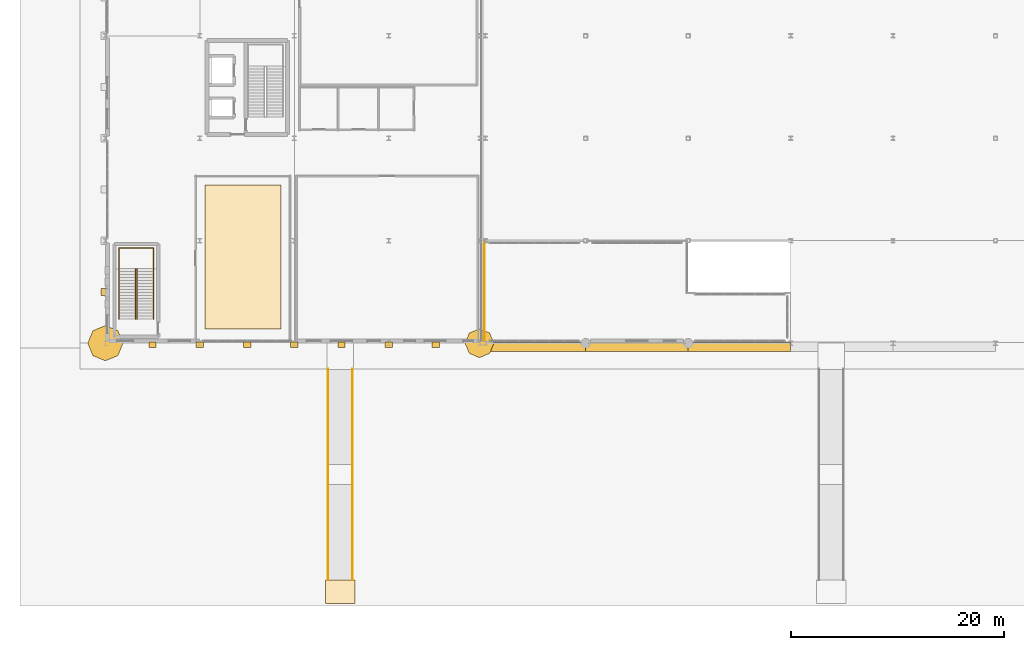
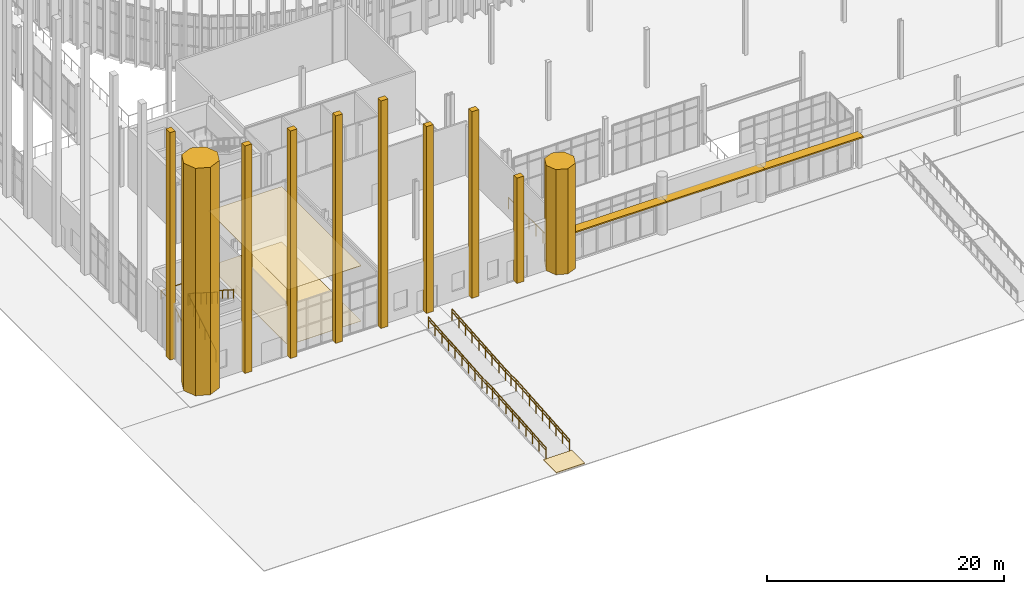
# One storey, part 110 of 139: 13 coverings, 7 railings, 3 shading devices.
"""IFC4 building model written with IfcOpenShell, lengths in metres."""

from ifc_helpers import new_model, si_unit, direction, frame, origin, origin_2d, place, context, subcontext, project, spatial, polyline, rectangle, circle, outline, extrude, material, layer, layer_set, type_object, element, save


model = new_model("IFC4")

# Units and contexts
model_context = context("Model", 3, precision=1e-05, world=origin(), true_north=direction((0.0, 1.0)))
body_context = subcontext(model_context, "Body", "Model", "MODEL_VIEW")
ifc_project = project(units=[si_unit("LENGTHUNIT", "METRE"), si_unit("AREAUNIT", "SQUARE_METRE"), si_unit("VOLUMEUNIT", "CUBIC_METRE"), si_unit("PLANEANGLEUNIT", "RADIAN"), si_unit("MASSUNIT", "GRAM", prefix="KILO")], contexts=[model_context])

# Site, building, storey
site_placement = place(None, origin())
site = spatial("IfcSite", under=ifc_project, at=site_placement, CompositionType="ELEMENT")
building_placement = place(site_placement, origin())
building = spatial("IfcBuilding", under=site, at=building_placement, Name="Yeouljin Market Hall", CompositionType="ELEMENT")
storey_placement = place(building_placement, origin())
storey = spatial("IfcBuildingStorey", under=building, at=storey_placement, Name="L00", CompositionType="ELEMENT", Elevation=0.0)

# Coverings
ifc_material_1 = material(Name="Clinker Brick Masonry F2-S2", Category="masonry")
ifc_layer_1 = layer(ifc_material_1, 0.5400390625)
ifc_layer_set_1 = layer_set([ifc_layer_1], Name="Clinker Brick Masonry F2-S2")
covering_type_1 = type_object("IfcCoveringType", Name="Covering_Clinker_PleatedPier", PredefinedType="CLADDING", material=ifc_layer_set_1)
covering_1_placement = place(storey_placement, origin())
element("IfcCovering", 1, at=covering_1_placement, inside=storey, type_object=covering_type_1, Name="Amsterdam School sculpted brick corner turret SW-MAIN", PredefinedType="CLADDING", context=body_context, shape_type="SweptSolid", body=[
    extrude(outline(polyline([(1.64990234375, 0.0), (1.166748046875, 1.166748046875), (0.0, 1.64990234375), (-1.166748046875, 1.166748046875), (-1.64990234375, 0.0), (-1.166748046875, -1.166748046875), (0.0, -1.64990234375), (1.166748046875, -1.166748046875), (1.64990234375, 0.0)])), origin(), (0.0, 0.0, 1.0), 23.449951171875),
])
covering_2_placement = place(storey_placement, origin())
element("IfcCovering", 2, at=covering_2_placement, inside=storey, type_object=covering_type_1, Name="Amsterdam School sculpted brick corner turret PORT-W", PredefinedType="CLADDING", context=body_context, shape_type="SweptSolid", body=[
    extrude(outline(polyline([(36.39990234375, 0.0), (36.004638671875, 0.95458984375), (35.050048828125, 1.35009765625), (34.095458984375, 0.95458984375), (33.699951171875, 0.0), (34.095458984375, -0.95458984375), (35.050048828125, -1.35009765625), (36.004638671875, -0.95458984375), (36.39990234375, 0.0)])), origin(), (0.0, 0.0, 1.0), 10.85009765625),
])
covering_3_placement = place(storey_placement, origin())
element("IfcCovering", 3, at=covering_3_placement, inside=storey, type_object=covering_type_1, Name="Pleated clinker-brick boulevard pier S-001", PredefinedType="CLADDING", context=body_context, shape_type="SweptSolid", body=[
    extrude(outline(polyline([(4.080078125, -0.419921875), (4.760009765625, -0.419921875), (4.760009765625, 0.1201171875), (4.080078125, 0.1201171875), (4.080078125, -0.419921875)])), origin(), (0.0, 0.0, 1.0), 23.449951171875),
])
covering_4_placement = place(storey_placement, origin())
element("IfcCovering", 4, at=covering_4_placement, inside=storey, type_object=covering_type_1, Name="Pleated clinker-brick boulevard pier S-002", PredefinedType="CLADDING", context=body_context, shape_type="SweptSolid", body=[
    extrude(outline(polyline([(8.510009765625, -0.419921875), (9.18994140625, -0.419921875), (9.18994140625, 0.1201171875), (8.510009765625, 0.1201171875), (8.510009765625, -0.419921875)])), origin(), (0.0, 0.0, 1.0), 23.449951171875),
])
covering_5_placement = place(storey_placement, origin())
element("IfcCovering", 5, at=covering_5_placement, inside=storey, type_object=covering_type_1, Name="Pleated clinker-brick boulevard pier S-003", PredefinedType="CLADDING", context=body_context, shape_type="SweptSolid", body=[
    extrude(outline(polyline([(12.93994140625, -0.419921875), (13.6201171875, -0.419921875), (13.6201171875, 0.1201171875), (12.93994140625, 0.1201171875), (12.93994140625, -0.419921875)])), origin(), (0.0, 0.0, 1.0), 23.449951171875),
])
covering_6_placement = place(storey_placement, origin())
element("IfcCovering", 6, at=covering_6_placement, inside=storey, type_object=covering_type_1, Name="Pleated clinker-brick boulevard pier S-004", PredefinedType="CLADDING", context=body_context, shape_type="SweptSolid", body=[
    extrude(outline(polyline([(17.360107421875, -0.419921875), (18.0400390625, -0.419921875), (18.0400390625, 0.1201171875), (17.360107421875, 0.1201171875), (17.360107421875, -0.419921875)])), origin(), (0.0, 0.0, 1.0), 23.449951171875),
])
covering_7_placement = place(storey_placement, origin())
element("IfcCovering", 7, at=covering_7_placement, inside=storey, type_object=covering_type_1, Name="Pleated clinker-brick boulevard pier S-005", PredefinedType="CLADDING", context=body_context, shape_type="SweptSolid", body=[
    extrude(outline(polyline([(21.780029296875, -0.419921875), (22.4599609375, -0.419921875), (22.4599609375, 0.1201171875), (21.780029296875, 0.1201171875), (21.780029296875, -0.419921875)])), origin(), (0.0, 0.0, 1.0), 19.25),
])
covering_8_placement = place(storey_placement, origin())
element("IfcCovering", 8, at=covering_8_placement, inside=storey, type_object=covering_type_1, Name="Pleated clinker-brick boulevard pier S-006", PredefinedType="CLADDING", context=body_context, shape_type="SweptSolid", body=[
    extrude(outline(polyline([(26.2099609375, -0.419921875), (26.889892578125, -0.419921875), (26.889892578125, 0.1201171875), (26.2099609375, 0.1201171875), (26.2099609375, -0.419921875)])), origin(), (0.0, 0.0, 1.0), 19.25),
])
covering_9_placement = place(storey_placement, origin())
element("IfcCovering", 9, at=covering_9_placement, inside=storey, type_object=covering_type_1, Name="Pleated clinker-brick boulevard pier S-007", PredefinedType="CLADDING", context=body_context, shape_type="SweptSolid", body=[
    extrude(outline(polyline([(30.610107421875, -0.419921875), (31.2900390625, -0.419921875), (31.2900390625, 0.1201171875), (30.610107421875, 0.1201171875), (30.610107421875, -0.419921875)])), origin(), (0.0, 0.0, 1.0), 10.85009765625),
])
covering_10_placement = place(storey_placement, origin())
element("IfcCovering", 10, at=covering_10_placement, inside=storey, type_object=covering_type_1, Name="Pleated clinker-brick west facade pier W-015", PredefinedType="CLADDING", context=body_context, shape_type="SweptSolid", body=[
    extrude(outline(polyline([(-0.419921875, 4.4599609375), (0.1201171875, 4.4599609375), (0.1201171875, 5.139892578125), (-0.419921875, 5.139892578125), (-0.419921875, 4.4599609375)])), origin(), (0.0, 0.0, 1.0), 23.449951171875),
])
ifc_material_2 = material(Name="Pocheon Granite Stone", Category="masonry")
ifc_layer_2 = layer(ifc_material_2, 0.050048828125)
ifc_layer_set_2 = layer_set([ifc_layer_2], Name="Pocheon Granite Stone")
covering_type_2 = type_object("IfcCoveringType", Name="Covering_Granite_PlinthPaving", PredefinedType="FLOORING", material=ifc_layer_set_2)
covering_11_placement = place(storey_placement, frame((0.0, 0.0, -1.5400390625)))
element("IfcCovering", 11, at=covering_11_placement, inside=storey, type_object=covering_type_2, Name="Street sidewalk landing 01", PredefinedType="FLOORING", context=body_context, shape_type="SweptSolid", body=[
    extrude(outline(polyline([(20.60009765625, -24.39990234375), (23.39990234375, -24.39990234375), (23.39990234375, -22.199951171875), (20.60009765625, -22.199951171875), (20.60009765625, -24.39990234375)])), origin(), (0.0, 0.0, 1.0), 0.10009765625),
])
ifc_material_3 = material(Name="Polished Mineral Terrazzo Flooring")
ifc_layer_3 = layer(ifc_material_3, 0.030029296875)
ifc_layer_set_3 = layer_set([ifc_layer_3], Name="Polished Mineral Terrazzo Flooring")
covering_type_3 = type_object("IfcCoveringType", Name="Covering_Terrazzo_Flooring", PredefinedType="FLOORING", material=ifc_layer_set_3)
covering_12_placement = place(storey_placement, origin())
element("IfcCovering", 12, at=covering_12_placement, inside=storey, type_object=covering_type_3, Name="Polished terrazzo floor finish L00-02", PredefinedType="FLOORING", context=body_context, shape_type="SweptSolid", body=[
    extrude(outline(polyline([(16.449951171875, 1.35009765625), (16.449951171875, 14.800048828125), (9.31005859375, 14.800048828125), (9.31005859375, 1.35009765625), (16.449951171875, 1.35009765625)])), origin(), (0.0, 0.0, 1.0), 0.030029296875),
])
ifc_material_4 = material(Name="Perforated Larch Acoustic Ceiling Baffle")
ifc_layer_4 = layer(ifc_material_4, 0.0400390625)
ifc_layer_set_4 = layer_set([ifc_layer_4], Name="Perforated Larch Acoustic Ceiling Baffle")
covering_type_4 = type_object("IfcCoveringType", Name="Covering_TimberAcoustic_Ceiling", PredefinedType="CEILING", material=ifc_layer_set_4)
covering_13_placement = place(storey_placement, frame((0.0, 0.0, 5.695068359375)))
element("IfcCovering", 13, at=covering_13_placement, inside=storey, type_object=covering_type_4, Name="Acoustic larch baffle ceiling L00-02", PredefinedType="CEILING", context=body_context, shape_type="SweptSolid", body=[
    extrude(outline(polyline([(16.449951171875, 1.35009765625), (16.449951171875, 14.800048828125), (9.31005859375, 14.800048828125), (9.31005859375, 1.35009765625), (16.449951171875, 1.35009765625)])), origin(), (0.0, 0.0, 1.0), 0.0400390625),
])

# Railings
ifc_material_5 = material(Name="Wrought Iron and Bronze Gallery Balustrade")
railing_type_1 = type_object("IfcRailingType", Name="Railing_AtriumBalustrade_1200", PredefinedType="BALUSTRADE", material=ifc_material_5)
railing_1_placement = place(storey_placement, frame((35.5, 0.199951171875, 0.0)))
element("IfcRailing", 14, at=railing_1_placement, inside=storey, type_object=railing_type_1, Name="Gallery & deck edge balustrade L00-038", PredefinedType="BALUSTRADE", context=body_context, shape_type="SweptSolid", body=[
    extrude(circle(Radius=0.02392578125, at=origin_2d()), frame((0.0, 0.0, 1.17578125), z_axis=(0.0, 1.0, 0.0), x_axis=(-1.0, 0.0, 0.0)), (0.0, 0.0, 1.0), 9.25),
    extrude(circle(Radius=0.02099609375, at=origin_2d()), origin(), (0.0, 0.0, 1.0), 1.15185546875),
    extrude(circle(Radius=0.02099609375, at=origin_2d()), frame((0.0, 1.15625, 0.0)), (0.0, 0.0, 1.0), 1.15185546875),
    extrude(circle(Radius=0.02099609375, at=origin_2d()), frame((0.0, 2.3125, 0.0)), (0.0, 0.0, 1.0), 1.15185546875),
    extrude(circle(Radius=0.02099609375, at=origin_2d()), frame((0.0, 3.46875, 0.0)), (0.0, 0.0, 1.0), 1.15185546875),
    extrude(circle(Radius=0.02099609375, at=origin_2d()), frame((0.0, 4.625, 0.0)), (0.0, 0.0, 1.0), 1.15185546875),
    extrude(circle(Radius=0.02099609375, at=origin_2d()), frame((0.0, 5.78125, 0.0)), (0.0, 0.0, 1.0), 1.15185546875),
    extrude(circle(Radius=0.02099609375, at=origin_2d()), frame((0.0, 6.9375, 0.0)), (0.0, 0.0, 1.0), 1.15185546875),
    extrude(circle(Radius=0.02099609375, at=origin_2d()), frame((0.0, 8.09375, 0.0)), (0.0, 0.0, 1.0), 1.15185546875),
    extrude(circle(Radius=0.02099609375, at=origin_2d()), frame((0.0, 9.25, 0.0)), (0.0, 0.0, 1.0), 1.15185546875),
])
ifc_material_6 = material(Name="Brushed Stainless Steel", Category="steel")
railing_type_2 = type_object("IfcRailingType", Name="Railing_RampHandrail_900", PredefinedType="HANDRAIL", material=ifc_material_6)
railing_2_placement = place(storey_placement, frame((20.85009765625, -22.199951171875, -1.43994140625)))
element("IfcRailing", 15, at=railing_2_placement, inside=storey, type_object=railing_type_2, Name="Pedestrian ramp 01 W handrail", PredefinedType="HANDRAIL", context=body_context, shape_type="SweptSolid", body=[
    extrude(circle(Radius=0.02392578125, at=origin_2d()), frame((0.0, 0.0, 0.8759765625), z_axis=(0.0, 0.996815536467, 0.079741998075), x_axis=(-1.0, 0.0, 0.0)), (0.0, 0.0, 1.0), 9.02880859375),
    extrude(circle(Radius=0.02392578125, at=origin_2d()), frame((0.0, 9.0, 1.595703125), z_axis=(0.0, 1.0, 0.0), x_axis=(-1.0, 0.0, 0.0)), (0.0, 0.0, 1.0), 1.800048828125),
    extrude(circle(Radius=0.02392578125, at=origin_2d()), frame((0.0, 10.800048828125, 1.595703125), z_axis=(0.0, 0.996815536467, 0.079741998075), x_axis=(-1.0, 0.0, 0.0)), (0.0, 0.0, 1.0), 9.02880859375),
    extrude(circle(Radius=0.02099609375, at=origin_2d()), origin(), (0.0, 0.0, 1.0), 0.851806640625),
    extrude(circle(Radius=0.02099609375, at=origin_2d()), frame((0.0, 1.125, 0.090087890625)), (0.0, 0.0, 1.0), 0.851806640625),
    extrude(circle(Radius=0.02099609375, at=origin_2d()), frame((0.0, 2.25, 0.179931640625)), (0.0, 0.0, 1.0), 0.851806640625),
    extrude(circle(Radius=0.02099609375, at=origin_2d()), frame((0.0, 3.375, 0.27001953125)), (0.0, 0.0, 1.0), 0.851806640625),
    extrude(circle(Radius=0.02099609375, at=origin_2d()), frame((0.0, 4.5, 0.35986328125)), (0.0, 0.0, 1.0), 0.851806640625),
    extrude(circle(Radius=0.02099609375, at=origin_2d()), frame((0.0, 5.625, 0.449951171875)), (0.0, 0.0, 1.0), 0.851806640625),
    extrude(circle(Radius=0.02099609375, at=origin_2d()), frame((0.0, 6.75, 0.5400390625)), (0.0, 0.0, 1.0), 0.851806640625),
    extrude(circle(Radius=0.02099609375, at=origin_2d()), frame((0.0, 7.875, 0.6298828125)), (0.0, 0.0, 1.0), 0.851806640625),
    extrude(circle(Radius=0.02099609375, at=origin_2d()), frame((0.0, 9.0, 0.719970703125)), (0.0, 0.0, 1.0), 0.851806640625),
    extrude(circle(Radius=0.02099609375, at=origin_2d()), frame((0.0, 9.89990234375, 0.719970703125)), (0.0, 0.0, 1.0), 0.851806640625),
    extrude(circle(Radius=0.02099609375, at=origin_2d()), frame((0.0, 10.800048828125, 0.719970703125)), (0.0, 0.0, 1.0), 0.851806640625),
    extrude(circle(Radius=0.02099609375, at=origin_2d()), frame((0.0, 11.925048828125, 0.81005859375)), (0.0, 0.0, 1.0), 0.851806640625),
    extrude(circle(Radius=0.02099609375, at=origin_2d()), frame((0.0, 13.050048828125, 0.89990234375)), (0.0, 0.0, 1.0), 0.851806640625),
    extrude(circle(Radius=0.02099609375, at=origin_2d()), frame((0.0, 14.175048828125, 0.989990234375)), (0.0, 0.0, 1.0), 0.851806640625),
    extrude(circle(Radius=0.02099609375, at=origin_2d()), frame((0.0, 15.300048828125, 1.080078125)), (0.0, 0.0, 1.0), 0.851806640625),
    extrude(circle(Radius=0.02099609375, at=origin_2d()), frame((0.0, 16.425048828125, 1.169921875)), (0.0, 0.0, 1.0), 0.851806640625),
    extrude(circle(Radius=0.02099609375, at=origin_2d()), frame((0.0, 17.550048828125, 1.260009765625)), (0.0, 0.0, 1.0), 0.851806640625),
    extrude(circle(Radius=0.02099609375, at=origin_2d()), frame((0.0, 18.675048828125, 1.349853515625)), (0.0, 0.0, 1.0), 0.851806640625),
    extrude(circle(Radius=0.02099609375, at=origin_2d()), frame((0.0, 19.800048828125, 1.43994140625)), (0.0, 0.0, 1.0), 0.851806640625),
])
railing_3_placement = place(storey_placement, frame((23.14990234375, -22.199951171875, -1.43994140625)))
element("IfcRailing", 16, at=railing_3_placement, inside=storey, type_object=railing_type_2, Name="Pedestrian ramp 01 E handrail", PredefinedType="HANDRAIL", context=body_context, shape_type="SweptSolid", body=[
    extrude(circle(Radius=0.02392578125, at=origin_2d()), frame((0.0, 0.0, 0.8759765625), z_axis=(0.0, 0.996815536467, 0.079741998075), x_axis=(-1.0, 0.0, 0.0)), (0.0, 0.0, 1.0), 9.02880859375),
    extrude(circle(Radius=0.02392578125, at=origin_2d()), frame((0.0, 9.0, 1.595703125), z_axis=(0.0, 1.0, 0.0), x_axis=(-1.0, 0.0, 0.0)), (0.0, 0.0, 1.0), 1.800048828125),
    extrude(circle(Radius=0.02392578125, at=origin_2d()), frame((0.0, 10.800048828125, 1.595703125), z_axis=(0.0, 0.996815536467, 0.079741998075), x_axis=(-1.0, 0.0, 0.0)), (0.0, 0.0, 1.0), 9.02880859375),
    extrude(circle(Radius=0.02099609375, at=origin_2d()), origin(), (0.0, 0.0, 1.0), 0.851806640625),
    extrude(circle(Radius=0.02099609375, at=origin_2d()), frame((0.0, 1.125, 0.090087890625)), (0.0, 0.0, 1.0), 0.851806640625),
    extrude(circle(Radius=0.02099609375, at=origin_2d()), frame((0.0, 2.25, 0.179931640625)), (0.0, 0.0, 1.0), 0.851806640625),
    extrude(circle(Radius=0.02099609375, at=origin_2d()), frame((0.0, 3.375, 0.27001953125)), (0.0, 0.0, 1.0), 0.851806640625),
    extrude(circle(Radius=0.02099609375, at=origin_2d()), frame((0.0, 4.5, 0.35986328125)), (0.0, 0.0, 1.0), 0.851806640625),
    extrude(circle(Radius=0.02099609375, at=origin_2d()), frame((0.0, 5.625, 0.449951171875)), (0.0, 0.0, 1.0), 0.851806640625),
    extrude(circle(Radius=0.02099609375, at=origin_2d()), frame((0.0, 6.75, 0.5400390625)), (0.0, 0.0, 1.0), 0.851806640625),
    extrude(circle(Radius=0.02099609375, at=origin_2d()), frame((0.0, 7.875, 0.6298828125)), (0.0, 0.0, 1.0), 0.851806640625),
    extrude(circle(Radius=0.02099609375, at=origin_2d()), frame((0.0, 9.0, 0.719970703125)), (0.0, 0.0, 1.0), 0.851806640625),
    extrude(circle(Radius=0.02099609375, at=origin_2d()), frame((0.0, 9.89990234375, 0.719970703125)), (0.0, 0.0, 1.0), 0.851806640625),
    extrude(circle(Radius=0.02099609375, at=origin_2d()), frame((0.0, 10.800048828125, 0.719970703125)), (0.0, 0.0, 1.0), 0.851806640625),
    extrude(circle(Radius=0.02099609375, at=origin_2d()), frame((0.0, 11.925048828125, 0.81005859375)), (0.0, 0.0, 1.0), 0.851806640625),
    extrude(circle(Radius=0.02099609375, at=origin_2d()), frame((0.0, 13.050048828125, 0.89990234375)), (0.0, 0.0, 1.0), 0.851806640625),
    extrude(circle(Radius=0.02099609375, at=origin_2d()), frame((0.0, 14.175048828125, 0.989990234375)), (0.0, 0.0, 1.0), 0.851806640625),
    extrude(circle(Radius=0.02099609375, at=origin_2d()), frame((0.0, 15.300048828125, 1.080078125)), (0.0, 0.0, 1.0), 0.851806640625),
    extrude(circle(Radius=0.02099609375, at=origin_2d()), frame((0.0, 16.425048828125, 1.169921875)), (0.0, 0.0, 1.0), 0.851806640625),
    extrude(circle(Radius=0.02099609375, at=origin_2d()), frame((0.0, 17.550048828125, 1.260009765625)), (0.0, 0.0, 1.0), 0.851806640625),
    extrude(circle(Radius=0.02099609375, at=origin_2d()), frame((0.0, 18.675048828125, 1.349853515625)), (0.0, 0.0, 1.0), 0.851806640625),
    extrude(circle(Radius=0.02099609375, at=origin_2d()), frame((0.0, 19.800048828125, 1.43994140625)), (0.0, 0.0, 1.0), 0.851806640625),
])
ifc_material_7 = material(Name="Painted Steel Stair Guardrail", Category="steel")
railing_type_3 = type_object("IfcRailingType", Name="Railing_StairGuard_1200", PredefinedType="GUARDRAIL", material=ifc_material_7)
railing_4_placement = place(storey_placement, frame((2.820068359375, 2.25, 0.0)))
element("IfcRailing", 17, at=railing_4_placement, inside=storey, type_object=railing_type_3, Name="Stair ST-S7-L00 inner well guardrail", PredefinedType="GUARDRAIL", context=body_context, shape_type="SweptSolid", body=[
    extrude(circle(Radius=0.02392578125, at=origin_2d()), frame((0.0, 0.0, 1.17578125), z_axis=(0.0, 0.84395435455, 0.536414995537), x_axis=(-1.0, 0.0, 0.0)), (0.0, 0.0, 1.0), 5.5927734375),
    extrude(circle(Radius=0.02392578125, at=origin_2d()), frame((0.0, 4.719970703125, 4.17578125), z_axis=(1.0, 0.0, 0.0), x_axis=(0.0, 1.0, 0.0)), (0.0, 0.0, 1.0), 0.159912109375),
    extrude(circle(Radius=0.02392578125, at=origin_2d()), frame((0.159912109375, 4.719970703125, 4.17578125), z_axis=(0.0, -0.84395435455, 0.536414995537), x_axis=(1.0, 0.0, 0.0)), (0.0, 0.0, 1.0), 5.5927734375),
    extrude(circle(Radius=0.02099609375, at=origin_2d()), origin(), (0.0, 0.0, 1.0), 1.15185546875),
    extrude(circle(Radius=0.02099609375, at=origin_2d()), frame((0.0, 0.944091796875, 0.60009765625)), (0.0, 0.0, 1.0), 1.15185546875),
    extrude(circle(Radius=0.02099609375, at=origin_2d()), frame((0.0, 1.887939453125, 1.199951171875)), (0.0, 0.0, 1.0), 1.15185546875),
    extrude(circle(Radius=0.02099609375, at=origin_2d()), frame((0.0, 2.83203125, 1.800048828125)), (0.0, 0.0, 1.0), 1.15185546875),
    extrude(circle(Radius=0.02099609375, at=origin_2d()), frame((0.0, 3.77587890625, 2.39990234375)), (0.0, 0.0, 1.0), 1.15185546875),
    extrude(circle(Radius=0.02099609375, at=origin_2d()), frame((0.0, 4.719970703125, 3.0)), (0.0, 0.0, 1.0), 1.15185546875),
    extrude(circle(Radius=0.02099609375, at=origin_2d()), frame((0.159912109375, 4.719970703125, 3.0)), (0.0, 0.0, 1.0), 1.15185546875),
    extrude(circle(Radius=0.02099609375, at=origin_2d()), frame((0.159912109375, 3.77587890625, 3.60009765625)), (0.0, 0.0, 1.0), 1.15185546875),
    extrude(circle(Radius=0.02099609375, at=origin_2d()), frame((0.159912109375, 2.83203125, 4.199951171875)), (0.0, 0.0, 1.0), 1.15185546875),
    extrude(circle(Radius=0.02099609375, at=origin_2d()), frame((0.159912109375, 1.887939453125, 4.800048828125)), (0.0, 0.0, 1.0), 1.15185546875),
    extrude(circle(Radius=0.02099609375, at=origin_2d()), frame((0.159912109375, 0.944091796875, 5.39990234375)), (0.0, 0.0, 1.0), 1.15185546875),
    extrude(circle(Radius=0.02099609375, at=origin_2d()), frame((0.159912109375, 0.0, 6.0)), (0.0, 0.0, 1.0), 1.15185546875),
])
ifc_material_8 = material(Name="Brushed Stainless Steel", Category="steel")
railing_type_4 = type_object("IfcRailingType", Name="Railing_StairHandrail_900", PredefinedType="HANDRAIL", material=ifc_material_8)
railing_5_placement = place(storey_placement, frame((1.280029296875, 2.25, 0.0)))
element("IfcRailing", 18, at=railing_5_placement, inside=storey, type_object=railing_type_4, Name="Stair ST-S7-L00 wall handrail", PredefinedType="HANDRAIL", context=body_context, shape_type="SweptSolid", body=[
    extrude(circle(Radius=0.02392578125, at=origin_2d()), frame((0.0, 0.0, 0.8759765625), z_axis=(0.0, 0.84395435455, 0.536414995537), x_axis=(-1.0, 0.0, 0.0)), (0.0, 0.0, 1.0), 5.5927734375),
    extrude(circle(Radius=0.02392578125, at=origin_2d()), frame((0.0, 4.719970703125, 3.8759765625), z_axis=(0.0, 1.0, 0.0), x_axis=(-1.0, 0.0, 0.0)), (0.0, 0.0, 1.0), 1.949951171875),
    extrude(circle(Radius=0.02392578125, at=origin_2d()), frame((0.0, 6.669921875, 3.8759765625), z_axis=(1.0, 0.0, 0.0), x_axis=(0.0, 1.0, 0.0)), (0.0, 0.0, 1.0), 3.239990234375),
    extrude(circle(Radius=0.02392578125, at=origin_2d()), frame((3.239990234375, 6.669921875, 3.8759765625), z_axis=(0.0, -1.0, 0.0), x_axis=(1.0, 0.0, 0.0)), (0.0, 0.0, 1.0), 1.949951171875),
    extrude(circle(Radius=0.02392578125, at=origin_2d()), frame((3.239990234375, 4.719970703125, 3.8759765625), z_axis=(0.0, -0.84395435455, 0.536414995537), x_axis=(1.0, 0.0, 0.0)), (0.0, 0.0, 1.0), 5.5927734375),
    extrude(circle(Radius=0.02099609375, at=origin_2d()), origin(), (0.0, 0.0, 1.0), 0.851806640625),
    extrude(circle(Radius=0.02099609375, at=origin_2d()), frame((0.0, 0.944091796875, 0.60009765625)), (0.0, 0.0, 1.0), 0.851806640625),
    extrude(circle(Radius=0.02099609375, at=origin_2d()), frame((0.0, 1.887939453125, 1.199951171875)), (0.0, 0.0, 1.0), 0.851806640625),
    extrude(circle(Radius=0.02099609375, at=origin_2d()), frame((0.0, 2.83203125, 1.800048828125)), (0.0, 0.0, 1.0), 0.851806640625),
    extrude(circle(Radius=0.02099609375, at=origin_2d()), frame((0.0, 3.77587890625, 2.39990234375)), (0.0, 0.0, 1.0), 0.851806640625),
    extrude(circle(Radius=0.02099609375, at=origin_2d()), frame((0.0, 4.719970703125, 3.0)), (0.0, 0.0, 1.0), 0.851806640625),
    extrude(circle(Radius=0.02099609375, at=origin_2d()), frame((0.0, 5.69482421875, 3.0)), (0.0, 0.0, 1.0), 0.851806640625),
    extrude(circle(Radius=0.02099609375, at=origin_2d()), frame((0.0, 6.669921875, 3.0)), (0.0, 0.0, 1.0), 0.851806640625),
    extrude(circle(Radius=0.02099609375, at=origin_2d()), frame((1.080078125, 6.669921875, 3.0)), (0.0, 0.0, 1.0), 0.851806640625),
    extrude(circle(Radius=0.02099609375, at=origin_2d()), frame((2.159912109375, 6.669921875, 3.0)), (0.0, 0.0, 1.0), 0.851806640625),
    extrude(circle(Radius=0.02099609375, at=origin_2d()), frame((3.239990234375, 6.669921875, 3.0)), (0.0, 0.0, 1.0), 0.851806640625),
    extrude(circle(Radius=0.02099609375, at=origin_2d()), frame((3.239990234375, 5.69482421875, 3.0)), (0.0, 0.0, 1.0), 0.851806640625),
    extrude(circle(Radius=0.02099609375, at=origin_2d()), frame((3.239990234375, 4.719970703125, 3.0)), (0.0, 0.0, 1.0), 0.851806640625),
    extrude(circle(Radius=0.02099609375, at=origin_2d()), frame((3.239990234375, 3.77587890625, 3.60009765625)), (0.0, 0.0, 1.0), 0.851806640625),
    extrude(circle(Radius=0.02099609375, at=origin_2d()), frame((3.239990234375, 2.83203125, 4.199951171875)), (0.0, 0.0, 1.0), 0.851806640625),
    extrude(circle(Radius=0.02099609375, at=origin_2d()), frame((3.239990234375, 1.887939453125, 4.800048828125)), (0.0, 0.0, 1.0), 0.851806640625),
    extrude(circle(Radius=0.02099609375, at=origin_2d()), frame((3.239990234375, 0.944091796875, 5.39990234375)), (0.0, 0.0, 1.0), 0.851806640625),
    extrude(circle(Radius=0.02099609375, at=origin_2d()), frame((3.239990234375, 0.0, 6.0)), (0.0, 0.0, 1.0), 0.851806640625),
])
ifc_material_9 = material(Name="Architectural Bronze Balustrade")
railing_type_5 = type_object("IfcRailingType", Name="Railing_TerraceGuard_1200", PredefinedType="GUARDRAIL", material=ifc_material_9)
railing_6_placement = place(storey_placement, frame((20.85009765625, -22.199951171875, -1.43994140625)))
element("IfcRailing", 19, at=railing_6_placement, inside=storey, type_object=railing_type_5, Name="Pedestrian ramp 01 W guardrail", PredefinedType="GUARDRAIL", context=body_context, shape_type="SweptSolid", body=[
    extrude(circle(Radius=0.02392578125, at=origin_2d()), frame((0.0, 0.0, 1.17578125), z_axis=(0.0, 0.996815536467, 0.079741998075), x_axis=(-1.0, 0.0, 0.0)), (0.0, 0.0, 1.0), 9.02880859375),
    extrude(circle(Radius=0.02392578125, at=origin_2d()), frame((0.0, 9.0, 1.89599609375), z_axis=(0.0, 1.0, 0.0), x_axis=(-1.0, 0.0, 0.0)), (0.0, 0.0, 1.0), 1.800048828125),
    extrude(circle(Radius=0.02392578125, at=origin_2d()), frame((0.0, 10.800048828125, 1.89599609375), z_axis=(0.0, 0.996815536467, 0.079741998075), x_axis=(-1.0, 0.0, 0.0)), (0.0, 0.0, 1.0), 9.02880859375),
    extrude(circle(Radius=0.02099609375, at=origin_2d()), origin(), (0.0, 0.0, 1.0), 1.15185546875),
    extrude(circle(Radius=0.02099609375, at=origin_2d()), frame((0.0, 1.125, 0.090087890625)), (0.0, 0.0, 1.0), 1.15185546875),
    extrude(circle(Radius=0.02099609375, at=origin_2d()), frame((0.0, 2.25, 0.179931640625)), (0.0, 0.0, 1.0), 1.15185546875),
    extrude(circle(Radius=0.02099609375, at=origin_2d()), frame((0.0, 3.375, 0.27001953125)), (0.0, 0.0, 1.0), 1.15185546875),
    extrude(circle(Radius=0.02099609375, at=origin_2d()), frame((0.0, 4.5, 0.35986328125)), (0.0, 0.0, 1.0), 1.15185546875),
    extrude(circle(Radius=0.02099609375, at=origin_2d()), frame((0.0, 5.625, 0.449951171875)), (0.0, 0.0, 1.0), 1.15185546875),
    extrude(circle(Radius=0.02099609375, at=origin_2d()), frame((0.0, 6.75, 0.5400390625)), (0.0, 0.0, 1.0), 1.15185546875),
    extrude(circle(Radius=0.02099609375, at=origin_2d()), frame((0.0, 7.875, 0.6298828125)), (0.0, 0.0, 1.0), 1.15185546875),
    extrude(circle(Radius=0.02099609375, at=origin_2d()), frame((0.0, 9.0, 0.719970703125)), (0.0, 0.0, 1.0), 1.15185546875),
    extrude(circle(Radius=0.02099609375, at=origin_2d()), frame((0.0, 9.89990234375, 0.719970703125)), (0.0, 0.0, 1.0), 1.15185546875),
    extrude(circle(Radius=0.02099609375, at=origin_2d()), frame((0.0, 10.800048828125, 0.719970703125)), (0.0, 0.0, 1.0), 1.15185546875),
    extrude(circle(Radius=0.02099609375, at=origin_2d()), frame((0.0, 11.925048828125, 0.81005859375)), (0.0, 0.0, 1.0), 1.15185546875),
    extrude(circle(Radius=0.02099609375, at=origin_2d()), frame((0.0, 13.050048828125, 0.89990234375)), (0.0, 0.0, 1.0), 1.15185546875),
    extrude(circle(Radius=0.02099609375, at=origin_2d()), frame((0.0, 14.175048828125, 0.989990234375)), (0.0, 0.0, 1.0), 1.15185546875),
    extrude(circle(Radius=0.02099609375, at=origin_2d()), frame((0.0, 15.300048828125, 1.080078125)), (0.0, 0.0, 1.0), 1.15185546875),
    extrude(circle(Radius=0.02099609375, at=origin_2d()), frame((0.0, 16.425048828125, 1.169921875)), (0.0, 0.0, 1.0), 1.15185546875),
    extrude(circle(Radius=0.02099609375, at=origin_2d()), frame((0.0, 17.550048828125, 1.260009765625)), (0.0, 0.0, 1.0), 1.15185546875),
    extrude(circle(Radius=0.02099609375, at=origin_2d()), frame((0.0, 18.675048828125, 1.349853515625)), (0.0, 0.0, 1.0), 1.15185546875),
    extrude(circle(Radius=0.02099609375, at=origin_2d()), frame((0.0, 19.800048828125, 1.43994140625)), (0.0, 0.0, 1.0), 1.15185546875),
])
railing_7_placement = place(storey_placement, frame((23.14990234375, -22.199951171875, -1.43994140625)))
element("IfcRailing", 20, at=railing_7_placement, inside=storey, type_object=railing_type_5, Name="Pedestrian ramp 01 E guardrail", PredefinedType="GUARDRAIL", context=body_context, shape_type="SweptSolid", body=[
    extrude(circle(Radius=0.02392578125, at=origin_2d()), frame((0.0, 0.0, 1.17578125), z_axis=(0.0, 0.996815536467, 0.079741998075), x_axis=(-1.0, 0.0, 0.0)), (0.0, 0.0, 1.0), 9.02880859375),
    extrude(circle(Radius=0.02392578125, at=origin_2d()), frame((0.0, 9.0, 1.89599609375), z_axis=(0.0, 1.0, 0.0), x_axis=(-1.0, 0.0, 0.0)), (0.0, 0.0, 1.0), 1.800048828125),
    extrude(circle(Radius=0.02392578125, at=origin_2d()), frame((0.0, 10.800048828125, 1.89599609375), z_axis=(0.0, 0.996815536467, 0.079741998075), x_axis=(-1.0, 0.0, 0.0)), (0.0, 0.0, 1.0), 9.02880859375),
    extrude(circle(Radius=0.02099609375, at=origin_2d()), origin(), (0.0, 0.0, 1.0), 1.15185546875),
    extrude(circle(Radius=0.02099609375, at=origin_2d()), frame((0.0, 1.125, 0.090087890625)), (0.0, 0.0, 1.0), 1.15185546875),
    extrude(circle(Radius=0.02099609375, at=origin_2d()), frame((0.0, 2.25, 0.179931640625)), (0.0, 0.0, 1.0), 1.15185546875),
    extrude(circle(Radius=0.02099609375, at=origin_2d()), frame((0.0, 3.375, 0.27001953125)), (0.0, 0.0, 1.0), 1.15185546875),
    extrude(circle(Radius=0.02099609375, at=origin_2d()), frame((0.0, 4.5, 0.35986328125)), (0.0, 0.0, 1.0), 1.15185546875),
    extrude(circle(Radius=0.02099609375, at=origin_2d()), frame((0.0, 5.625, 0.449951171875)), (0.0, 0.0, 1.0), 1.15185546875),
    extrude(circle(Radius=0.02099609375, at=origin_2d()), frame((0.0, 6.75, 0.5400390625)), (0.0, 0.0, 1.0), 1.15185546875),
    extrude(circle(Radius=0.02099609375, at=origin_2d()), frame((0.0, 7.875, 0.6298828125)), (0.0, 0.0, 1.0), 1.15185546875),
    extrude(circle(Radius=0.02099609375, at=origin_2d()), frame((0.0, 9.0, 0.719970703125)), (0.0, 0.0, 1.0), 1.15185546875),
    extrude(circle(Radius=0.02099609375, at=origin_2d()), frame((0.0, 9.89990234375, 0.719970703125)), (0.0, 0.0, 1.0), 1.15185546875),
    extrude(circle(Radius=0.02099609375, at=origin_2d()), frame((0.0, 10.800048828125, 0.719970703125)), (0.0, 0.0, 1.0), 1.15185546875),
    extrude(circle(Radius=0.02099609375, at=origin_2d()), frame((0.0, 11.925048828125, 0.81005859375)), (0.0, 0.0, 1.0), 1.15185546875),
    extrude(circle(Radius=0.02099609375, at=origin_2d()), frame((0.0, 13.050048828125, 0.89990234375)), (0.0, 0.0, 1.0), 1.15185546875),
    extrude(circle(Radius=0.02099609375, at=origin_2d()), frame((0.0, 14.175048828125, 0.989990234375)), (0.0, 0.0, 1.0), 1.15185546875),
    extrude(circle(Radius=0.02099609375, at=origin_2d()), frame((0.0, 15.300048828125, 1.080078125)), (0.0, 0.0, 1.0), 1.15185546875),
    extrude(circle(Radius=0.02099609375, at=origin_2d()), frame((0.0, 16.425048828125, 1.169921875)), (0.0, 0.0, 1.0), 1.15185546875),
    extrude(circle(Radius=0.02099609375, at=origin_2d()), frame((0.0, 17.550048828125, 1.260009765625)), (0.0, 0.0, 1.0), 1.15185546875),
    extrude(circle(Radius=0.02099609375, at=origin_2d()), frame((0.0, 18.675048828125, 1.349853515625)), (0.0, 0.0, 1.0), 1.15185546875),
    extrude(circle(Radius=0.02099609375, at=origin_2d()), frame((0.0, 19.800048828125, 1.43994140625)), (0.0, 0.0, 1.0), 1.15185546875),
])

# Shading devices
ifc_material_10 = material(Name="Bronze Brise-Soleil Louvre")
shading_device_type = type_object("IfcShadingDeviceType", Name="SolarFin_ClinkerBronze_880", PredefinedType="JALOUSIE", material=ifc_material_10)
for number, where, z_axis, x_axis, name in (
    (21, (40.199951171875, -0.320068359375, 3.47998046875), (0.0, 0.0, 1.0), (1.0, 0.0, 0.0), "Boulevard entrance brise-soleil louvre 01"),
    (22, (49.800048828125, -0.320068359375, 3.47998046875), (0.0, 0.0, 1.0), (1.0, 0.0, 0.0), "Boulevard entrance brise-soleil louvre 02"),
    (23, (59.39990234375, -0.320068359375, 3.47998046875), (0.0, 0.0, 1.0), (1.0, 0.0, 0.0), "Boulevard entrance brise-soleil louvre 03"),
):
    element("IfcShadingDevice", number, at=place(storey_placement, frame(where, z_axis=z_axis, x_axis=x_axis)), inside=storey, type_object=shading_device_type, Name=name, PredefinedType="JALOUSIE", context=body_context, shape_type="SweptSolid", body=[
        extrude(rectangle(XDim=9.60009765625, YDim=0.8798828125, at=origin_2d()), origin(), (0.0, 0.0, 1.0), 0.139892578125),
    ])

save(model, "model.ifc")
